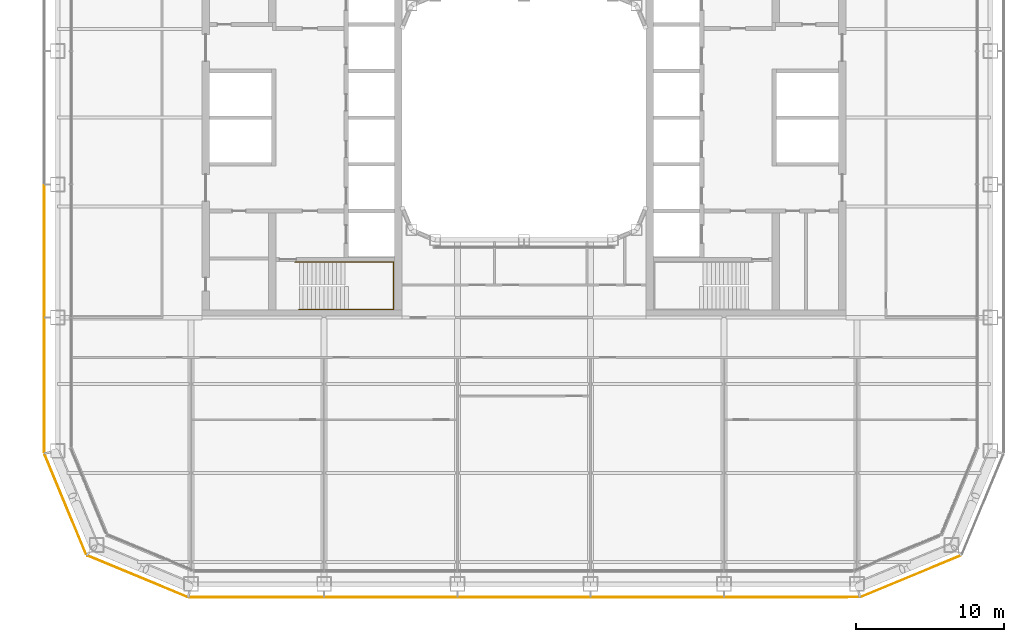
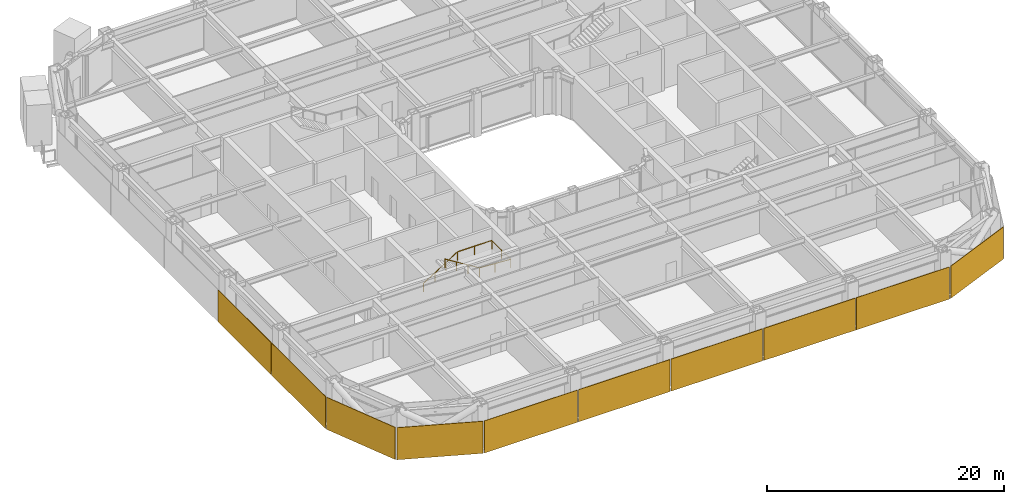
# One storey, part 24 of 29: 10 coverings, 1 railing.
"""IFC4 building model written with IfcOpenShell, lengths in metres."""

from ifc_helpers import new_model, si_unit, direction, frame, origin, origin_2d, place, context, subcontext, project, spatial, rectangle, circle, extrude, material, layer, layer_set, type_object, element, save


model = new_model("IFC4")

# Units and contexts
model_context = context("Model", 3, precision=1e-05, world=origin(), true_north=direction((0.0, 1.0)))
body_context = subcontext(model_context, "Body", "Model", "MODEL_VIEW")
ifc_project = project(units=[si_unit("LENGTHUNIT", "METRE"), si_unit("AREAUNIT", "SQUARE_METRE"), si_unit("VOLUMEUNIT", "CUBIC_METRE"), si_unit("PLANEANGLEUNIT", "RADIAN"), si_unit("MASSUNIT", "GRAM", prefix="KILO")], contexts=[model_context])

# Site, building, storey
site_placement = place(None, origin())
site = spatial("IfcSite", under=ifc_project, at=site_placement, CompositionType="ELEMENT")
building_placement = place(site_placement, origin())
building = spatial("IfcBuilding", under=site, at=building_placement, Name="Siwar Civic Tower", CompositionType="ELEMENT")
storey_placement = place(building_placement, frame((0.0, 0.0, 67.199951171875)))
storey = spatial("IfcBuildingStorey", under=building, at=storey_placement, Name="L14", CompositionType="ELEMENT", Elevation=67.199951171875)

# Railing
ifc_material_1 = material(Name="Stainless steel", Category="steel")
railing_type = type_object("IfcRailingType", Name="CORE-STAIR-HANDRAIL", PredefinedType="HANDRAIL", material=ifc_material_1)
railing_placement = place(storey_placement, frame((-15.449951171875, -9.758056640625, 0.173095703125)))
element("IfcRailing", 1, at=railing_placement, inside=storey, type_object=railing_type, Name="Stair handrail ST2", PredefinedType="HANDRAIL", context=body_context, shape_type="SweptSolid", body=[
    extrude(circle(Radius=0.02001953125, at=origin_2d()), frame((0.0, 0.0, 0.8798828125), z_axis=(0.847063342986, 0.0, 0.531491950051), x_axis=(0.0, 1.0, 0.0)), (0.0, 0.0, 1.0), 3.90771484375),
    extrude(circle(Radius=0.02001953125, at=origin_2d()), frame((3.31005859375, 0.0, 2.956787109375), z_axis=(1.0, 0.0, 0.0), x_axis=(0.0, 1.0, 0.0)), (0.0, 0.0, 1.0), 3.331787109375),
    extrude(circle(Radius=0.02001953125, at=origin_2d()), frame((6.641845703125, 0.0, 2.956787109375), z_axis=(0.0, -1.0, 0.0), x_axis=(1.0, 0.0, 0.0)), (0.0, 0.0, 1.0), 3.183837890625),
    extrude(circle(Radius=0.02001953125, at=origin_2d()), frame((6.641845703125, -3.183837890625, 2.956787109375), z_axis=(-0.99837434197, 0.0, 0.056997134106), x_axis=(0.0, -1.0, 0.0)), (0.0, 0.0, 1.0), 3.036865234375),
    extrude(circle(Radius=0.02001953125, at=origin_2d()), frame((3.60986328125, -3.183837890625, 3.1298828125), z_axis=(-0.850606129759, 0.0, 0.525803396734), x_axis=(0.0, -1.0, 0.0)), (0.0, 0.0, 1.0), 3.949951171875),
    extrude(circle(Radius=0.02001953125, at=origin_2d()), origin(), (0.0, 0.0, 1.0), 0.85986328125),
    extrude(circle(Radius=0.02001953125, at=origin_2d()), frame((1.103271484375, 0.0, 0.6923828125)), (0.0, 0.0, 1.0), 0.85986328125),
    extrude(circle(Radius=0.02001953125, at=origin_2d()), frame((2.206787109375, 0.0, 1.384521484375)), (0.0, 0.0, 1.0), 0.85986328125),
    extrude(circle(Radius=0.02001953125, at=origin_2d()), frame((3.31005859375, 0.0, 2.076904296875)), (0.0, 0.0, 1.0), 0.85986328125),
    extrude(circle(Radius=0.02001953125, at=origin_2d()), frame((4.97607421875, 0.0, 2.076904296875)), (0.0, 0.0, 1.0), 0.85986328125),
    extrude(circle(Radius=0.02001953125, at=origin_2d()), frame((6.641845703125, 0.0, 2.076904296875)), (0.0, 0.0, 1.0), 0.85986328125),
    extrude(circle(Radius=0.02001953125, at=origin_2d()), frame((6.641845703125, -1.591796875, 2.076904296875)), (0.0, 0.0, 1.0), 0.85986328125),
    extrude(circle(Radius=0.02001953125, at=origin_2d()), frame((6.641845703125, -3.183837890625, 2.076904296875)), (0.0, 0.0, 1.0), 0.85986328125),
    extrude(circle(Radius=0.02001953125, at=origin_2d()), frame((5.1259765625, -3.183837890625, 2.16357421875)), (0.0, 0.0, 1.0), 0.85986328125),
    extrude(circle(Radius=0.02001953125, at=origin_2d()), frame((3.60986328125, -3.183837890625, 2.25)), (0.0, 0.0, 1.0), 0.85986328125),
    extrude(circle(Radius=0.02001953125, at=origin_2d()), frame((2.489990234375, -3.183837890625, 2.9423828125)), (0.0, 0.0, 1.0), 0.85986328125),
    extrude(circle(Radius=0.02001953125, at=origin_2d()), frame((1.369873046875, -3.183837890625, 3.634521484375)), (0.0, 0.0, 1.0), 0.85986328125),
    extrude(circle(Radius=0.02001953125, at=origin_2d()), frame((0.25, -3.183837890625, 4.326904296875)), (0.0, 0.0, 1.0), 0.85986328125),
])

# Coverings
ifc_material_2 = material(Name="Perforated aluminium cassette, pale metal", Category="aluminium")
ifc_layer_1 = layer(ifc_material_2, 0.050048828125)
ifc_layer_set_1 = layer_set([ifc_layer_1], Name="Perforated aluminium cassette, pale metal")
covering_type_1 = type_object("IfcCoveringType", Name="ENV-OUTER SKIN OS-3", PredefinedType="CLADDING", material=ifc_layer_set_1)
covering_1_placement = place(storey_placement, frame((26.115966796875, -30.976318359375, -0.14990234375), z_axis=(0.0, 0.0, 1.0), x_axis=(0.923879532511, 0.382683432365, 0.0)))
element("IfcCovering", 2, at=covering_1_placement, inside=storey, type_object=covering_type_1, Name="OUTER SKIN OS-3 SE1 1", PredefinedType="CLADDING", context=body_context, shape_type="SweptSolid", body=[
    extrude(rectangle(XDim=7.300048828125, YDim=0.050048828125, at=origin_2d()), origin(), (0.0, 0.0, 1.0), 3.300048828125),
])
covering_2_placement = place(storey_placement, frame((-32.39990234375, -9.0, -0.14990234375), z_axis=(0.0, 0.0, 1.0), x_axis=(0.0, -1.0, 0.0)))
element("IfcCovering", 3, at=covering_2_placement, inside=storey, type_object=covering_type_1, Name="OUTER SKIN OS-3 W 4", PredefinedType="CLADDING", context=body_context, shape_type="SweptSolid", body=[
    extrude(rectangle(XDim=8.89990234375, YDim=0.050048828125, at=origin_2d()), origin(), (0.0, 0.0, 1.0), 3.300048828125),
])
covering_3_placement = place(storey_placement, frame((-32.39990234375, -18.07958984375, -0.14990234375), z_axis=(0.0, 0.0, 1.0), x_axis=(0.0, -1.0, 0.0)))
element("IfcCovering", 4, at=covering_3_placement, inside=storey, type_object=covering_type_1, Name="OUTER SKIN OS-3 W 5", PredefinedType="CLADDING", context=body_context, shape_type="SweptSolid", body=[
    extrude(rectangle(XDim=9.05908203125, YDim=0.050048828125, at=origin_2d()), origin(), (0.0, 0.0, 1.0), 3.300048828125),
])
ifc_material_3 = material(Name="Perforated aluminium cassette, pale metal", Category="aluminium")
ifc_layer_2 = layer(ifc_material_3, 0.054931640625)
ifc_layer_set_2 = layer_set([ifc_layer_2], Name="Perforated aluminium cassette, pale metal")
covering_type_2 = type_object("IfcCoveringType", Name="ENV-OUTER SKIN OS-4", PredefinedType="CLADDING", material=ifc_layer_set_2)
covering_4_placement = place(storey_placement, frame((-18.07958984375, -32.39990234375, -0.14990234375), z_axis=(0.0, 0.0, 1.0), x_axis=(1.0, 0.0, 0.0)))
element("IfcCovering", 5, at=covering_4_placement, inside=storey, type_object=covering_type_2, Name="OUTER SKIN OS-4 S 1", PredefinedType="CLADDING", context=body_context, shape_type="SweptSolid", body=[
    extrude(rectangle(XDim=9.05908203125, YDim=0.054931640625, at=origin_2d()), origin(), (0.0, 0.0, 1.0), 3.300048828125),
])
for number, where, z_axis, x_axis, name in (
    (6, (-9.0, -32.39990234375, -0.14990234375), (0.0, 0.0, 1.0), (1.0, 0.0, 0.0), "OUTER SKIN OS-4 S 2"),
    (7, (0.0, -32.39990234375, -0.14990234375), (0.0, 0.0, 1.0), (1.0, 0.0, 0.0), "OUTER SKIN OS-4 S 3"),
    (8, (9.0, -32.39990234375, -0.14990234375), (0.0, 0.0, 1.0), (1.0, 0.0, 0.0), "OUTER SKIN OS-4 S 4"),
):
    element("IfcCovering", number, at=place(storey_placement, frame(where, z_axis=z_axis, x_axis=x_axis)), inside=storey, type_object=covering_type_2, Name=name, PredefinedType="CLADDING", context=body_context, shape_type="SweptSolid", body=[
        extrude(rectangle(XDim=8.89990234375, YDim=0.054931640625, at=origin_2d()), origin(), (0.0, 0.0, 1.0), 3.300048828125),
    ])
covering_5_placement = place(storey_placement, frame((18.07958984375, -32.39990234375, -0.14990234375), z_axis=(0.0, 0.0, 1.0), x_axis=(1.0, 0.0, 0.0)))
element("IfcCovering", 9, at=covering_5_placement, inside=storey, type_object=covering_type_2, Name="OUTER SKIN OS-4 S 5", PredefinedType="CLADDING", context=body_context, shape_type="SweptSolid", body=[
    extrude(rectangle(XDim=9.05908203125, YDim=0.054931640625, at=origin_2d()), origin(), (0.0, 0.0, 1.0), 3.300048828125),
])
for number, where, z_axis, x_axis, name in (
    (10, (-30.976318359375, -26.115966796875, -0.14990234375), (0.0, 0.0, 1.0), (0.382683432365, -0.923879532511, 0.0), "OUTER SKIN OS-4 SW1 1"),
    (11, (-26.115966796875, -30.976318359375, -0.14990234375), (0.0, 0.0, 1.0), (0.923879532511, -0.382683432365, 0.0), "OUTER SKIN OS-4 SW2 1"),
):
    element("IfcCovering", number, at=place(storey_placement, frame(where, z_axis=z_axis, x_axis=x_axis)), inside=storey, type_object=covering_type_2, Name=name, PredefinedType="CLADDING", context=body_context, shape_type="SweptSolid", body=[
        extrude(rectangle(XDim=7.300048828125, YDim=0.054931640625, at=origin_2d()), origin(), (0.0, 0.0, 1.0), 3.300048828125),
    ])

save(model, "model.ifc")
